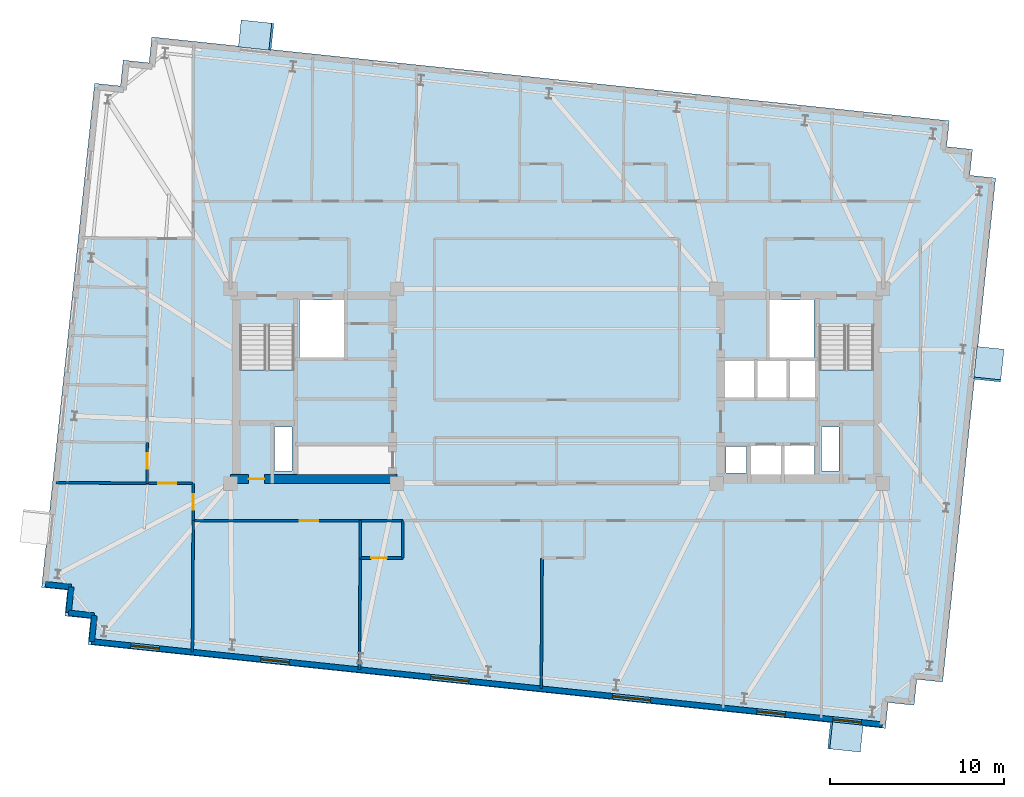
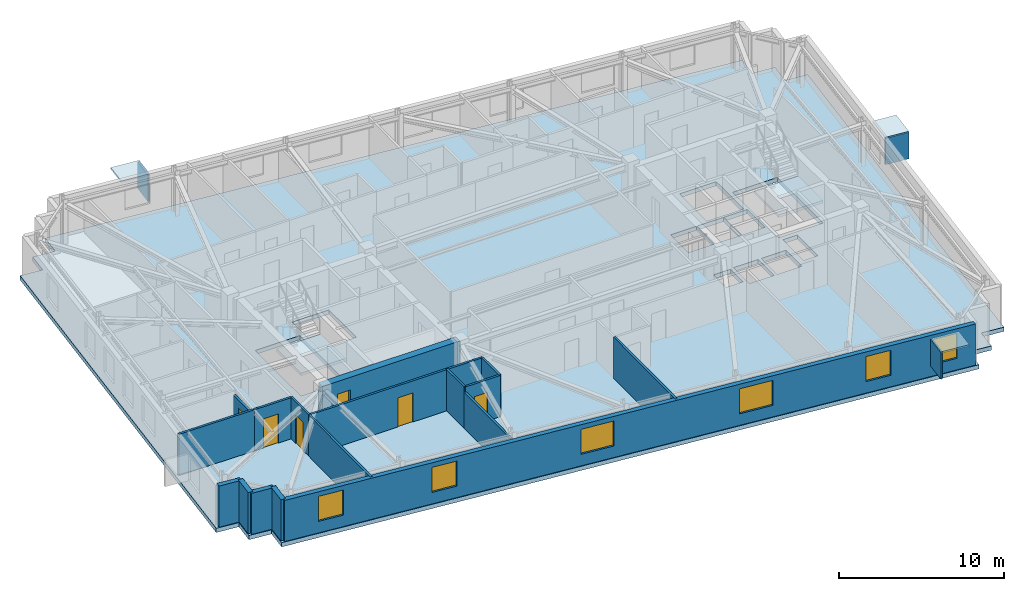
# One storey, part 5 of 13: 18 walls, 6 doors, 6 plates, 6 windows, 3 slabs, 12 openings, 2 elements without a shape of their own.
"""IFC4 building model written with IfcOpenShell, lengths in metres."""

from ifc_helpers import new_model, si_unit, direction, frame, frame_2d, origin, origin_2d, place, context, subcontext, project, spatial, polyline, rectangle, outline, extrude, material, layer, layer_set, type_object, element, fill, aggregate, save


model = new_model("IFC4")

# Units and contexts
model_context = context("Model", 3, precision=1e-05, world=origin(), true_north=direction((0.0, 1.0)))
body_context = subcontext(model_context, "Body", "Model", "MODEL_VIEW")
ifc_project = project(units=[si_unit("LENGTHUNIT", "METRE"), si_unit("AREAUNIT", "SQUARE_METRE"), si_unit("VOLUMEUNIT", "CUBIC_METRE"), si_unit("PLANEANGLEUNIT", "RADIAN"), si_unit("MASSUNIT", "GRAM", prefix="KILO")], contexts=[model_context])

# Site, building, storey
site_placement = place(None, origin())
site = spatial("IfcSite", under=ifc_project, at=site_placement, CompositionType="ELEMENT")
building_placement = place(site_placement, origin())
building = spatial("IfcBuilding", under=site, at=building_placement, Name="Qobustan Lattice House", CompositionType="ELEMENT")
storey_placement = place(building_placement, frame((0.0, 0.0, 186.35009765625)))
storey = spatial("IfcBuildingStorey", under=building, at=storey_placement, Name="L52", CompositionType="ELEMENT", Elevation=186.35009765625)

# Plates
ifc_material_1 = material(Name="Qobustan limestone GFRC", Category="masonry")
ifc_layer_1 = layer(ifc_material_1, 0.1201171875)
ifc_layer_set_1 = layer_set([ifc_layer_1], Name="Qobustan limestone GFRC")
plate_type = type_object("IfcPlateType", Name="SHD-HOOD-BROW", PredefinedType="USERDEFINED", material=ifc_layer_set_1)
plate_1_placement = place(storey_placement, frame((-17.3251953125, 20.220703125, 2.699951171875), z_axis=(0.0, 0.0, 1.0), x_axis=(0.994521895368, -0.104528463268, 0.0)))
element("IfcPlate", 1, at=plate_1_placement, inside=storey, type_object=plate_type, Name="L52 splayed Qobustan stone hood brow", ObjectType="SUNSHADE", PredefinedType="USERDEFINED", context=body_context, shape_type="SweptSolid", body=[
    extrude(rectangle(XDim=1.889892578125, YDim=1.56005859375, at=origin_2d()), origin(), (0.0, 0.0, 1.0), 0.1201171875),
])
plate_2_placement = place(storey_placement, frame((-16.445068359375, 20.128173828125, 0.7900390625), z_axis=(0.0, 0.0, 1.0), x_axis=(0.994521895368, -0.104528463268, 0.0)))
element("IfcPlate", 2, at=plate_2_placement, inside=storey, type_object=plate_type, Name="L52 splayed Qobustan stone hood cheek", ObjectType="SUNSHADE", PredefinedType="USERDEFINED", context=body_context, shape_type="SweptSolid", body=[
    extrude(rectangle(XDim=0.1201171875, YDim=1.56005859375, at=origin_2d()), origin(), (0.0, 0.0, 1.0), 1.969970703125),
])
plate_3_placement = place(storey_placement, frame((24.8896484375, 1.264892578125, 2.699951171875), z_axis=(0.0, 0.0, 1.0), x_axis=(-0.104528463268, -0.994521895368, 0.0)))
element("IfcPlate", 3, at=plate_3_placement, inside=storey, type_object=plate_type, Name="L52 splayed Qobustan stone hood brow", ObjectType="SUNSHADE", PredefinedType="USERDEFINED", context=body_context, shape_type="SweptSolid", body=[
    extrude(rectangle(XDim=1.889892578125, YDim=1.56005859375, at=origin_2d()), origin(), (0.0, 0.0, 1.0), 0.1201171875),
])
plate_4_placement = place(storey_placement, frame((24.797119140625, 0.384765625, 0.7900390625), z_axis=(0.0, 0.0, 1.0), x_axis=(-0.104528463268, -0.994521895368, 0.0)))
element("IfcPlate", 4, at=plate_4_placement, inside=storey, type_object=plate_type, Name="L52 splayed Qobustan stone hood cheek", ObjectType="SUNSHADE", PredefinedType="USERDEFINED", context=body_context, shape_type="SweptSolid", body=[
    extrude(rectangle(XDim=0.1201171875, YDim=1.56005859375, at=origin_2d()), origin(), (0.0, 0.0, 1.0), 1.969970703125),
])
plate_5_placement = place(storey_placement, frame((16.6279296875, -20.2099609375, 2.699951171875), z_axis=(0.0, 0.0, 1.0), x_axis=(-0.994521895368, 0.104528463268, 0.0)))
element("IfcPlate", 5, at=plate_5_placement, inside=storey, type_object=plate_type, Name="L52 splayed Qobustan stone hood brow", ObjectType="SUNSHADE", PredefinedType="USERDEFINED", context=body_context, shape_type="SweptSolid", body=[
    extrude(rectangle(XDim=1.889892578125, YDim=1.56005859375, at=origin_2d()), origin(), (0.0, 0.0, 1.0), 0.1201171875),
])
plate_6_placement = place(storey_placement, frame((15.747802734375, -20.117431640625, 0.7900390625), z_axis=(0.0, 0.0, 1.0), x_axis=(-0.994521895368, 0.104528463268, 0.0)))
element("IfcPlate", 6, at=plate_6_placement, inside=storey, type_object=plate_type, Name="L52 splayed Qobustan stone hood cheek", ObjectType="SUNSHADE", PredefinedType="USERDEFINED", context=body_context, shape_type="SweptSolid", body=[
    extrude(rectangle(XDim=0.1201171875, YDim=1.56005859375, at=origin_2d()), origin(), (0.0, 0.0, 1.0), 1.969970703125),
])

# Slab
ifc_material_2 = material(Name="Concrete C40/50", Category="concrete")
ifc_layer_2 = layer(ifc_material_2, 0.31005859375)
ifc_layer_set_2 = layer_set([ifc_layer_2], Name="Concrete C40/50")
slab_type_1 = type_object("IfcSlabType", Name="SLB-FLR-310", PredefinedType="FLOOR", material=ifc_layer_set_2)
slab_1_placement = place(storey_placement, frame((0.0, 0.0, -0.31005859375)))
element("IfcSlab", 7, at=slab_1_placement, inside=storey, type_object=slab_type_1, Name="L52 structural floor slab", PredefinedType="FLOOR", context=body_context, shape_type="SweptSolid", body=[
    extrude(outline(polyline([(-27.01318359375, -14.888916015625), (18.933837890625, -19.71826171875), (19.090576171875, -18.226318359375), (20.582275390625, -18.38330078125), (20.739013671875, -16.891357421875), (22.23095703125, -17.048095703125), (25.283203125, 11.99169921875), (23.79150390625, 12.148681640625), (23.947998046875, 13.640380859375), (22.456298828125, 13.797119140625), (22.61328125, 15.2890625), (-23.333740234375, 20.1181640625), (-23.490478515625, 18.62646484375), (-24.982421875, 18.783203125), (-25.13916015625, 17.29150390625), (-26.630859375, 17.4482421875), (-29.68310546875, -11.591796875), (-28.19140625, -11.74853515625), (-28.34814453125, -13.240478515625), (-26.8564453125, -13.397216796875), (-27.01318359375, -14.888916015625)]), holes=[polyline([(-18.25, -2.050048828125), (-18.25, 3.489990234375), (-15.1298828125, 3.489990234375), (-15.1298828125, -2.050048828125), (-18.25, -2.050048828125)]), polyline([(15.1298828125, -2.050048828125), (15.1298828125, 3.489990234375), (18.25, 3.489990234375), (18.25, -2.050048828125), (15.1298828125, -2.050048828125)]), polyline([(-14.820068359375, 1.64990234375), (-14.820068359375, 4.9599609375), (-12.25, 4.9599609375), (-12.25, 1.64990234375), (-14.820068359375, 1.64990234375)]), polyline([(12.25, 1.64990234375), (12.25, 4.9599609375), (14.820068359375, 4.9599609375), (14.820068359375, 1.64990234375), (12.25, 1.64990234375)]), polyline([(-16.260009765625, -4.8798828125), (-16.260009765625, -2.360107421875), (-15.260009765625, -2.360107421875), (-15.260009765625, -4.8798828125), (-16.260009765625, -4.8798828125)]), polyline([(15.260009765625, -4.8798828125), (15.260009765625, -2.360107421875), (16.260009765625, -2.360107421875), (16.260009765625, -4.8798828125), (15.260009765625, -4.8798828125)]), polyline([(11.179931640625, -5.35009765625), (11.179931640625, -3.419921875), (12.919921875, -3.419921875), (12.919921875, -5.35009765625), (11.179931640625, -5.35009765625)]), polyline([(13.1201171875, -5.35009765625), (13.1201171875, -3.419921875), (14.85009765625, -3.419921875), (14.85009765625, -5.35009765625), (13.1201171875, -5.35009765625)]), polyline([(9.760009765625, -5.0), (9.760009765625, -3.47998046875), (10.93994140625, -3.47998046875), (10.93994140625, -5.0), (9.760009765625, -5.0)]), polyline([(13.360107421875, -0.679931640625), (13.360107421875, 1.47998046875), (14.97998046875, 1.47998046875), (14.97998046875, -0.679931640625), (13.360107421875, -0.679931640625)]), polyline([(9.6201171875, -0.679931640625), (9.6201171875, 1.47998046875), (11.43994140625, 1.47998046875), (11.43994140625, -0.679931640625), (9.6201171875, -0.679931640625)]), polyline([(11.5, -0.679931640625), (11.5, 1.47998046875), (13.320068359375, 1.47998046875), (13.320068359375, -0.679931640625), (11.5, -0.679931640625)])]), origin(), (0.0, 0.0, 1.0), 0.31005859375),
])

# Stair, slab
ifc_material_3 = material(Name="Concrete C40/50", Category="concrete")
stair_type = type_object("IfcStairType", Name="STR-CORE-DOGLEG", PredefinedType="HALF_TURN_STAIR", material=ifc_material_3)
stair_1_placement = place(storey_placement, origin())
stair_1 = element("IfcStair", 8, at=stair_1_placement, inside=storey, type_object=stair_type, Name="L52 West protected exit stair ST-W1", PredefinedType="HALF_TURN_STAIR")
ifc_material_4 = material(Name="Concrete C40/50", Category="concrete")
ifc_layer_3 = layer(ifc_material_4, 0.199951171875)
ifc_layer_set_3 = layer_set([ifc_layer_3], Name="Concrete C40/50")
slab_type_2 = type_object("IfcSlabType", Name="SLB-LANDING-200", PredefinedType="LANDING", material=ifc_layer_set_3)
slab_2_placement = place(storey_placement, frame((0.0, 0.0, 1.474853515625)))
slab_2 = element("IfcSlab", 9, at=slab_2_placement, type_object=slab_type_2, Name="ST-W1 landing 1", PredefinedType="LANDING", context=body_context, shape_type="SweptSolid", body=[
    extrude(outline(polyline([(-18.25, 0.93505859375), (-18.25, -2.050048828125), (-15.1298828125, -2.050048828125), (-15.1298828125, 0.93505859375), (-18.25, 0.93505859375)])), origin(), (0.0, 0.0, 1.0), 0.199951171875),
])
aggregate(stair_1, [slab_2])

stair_2_placement = place(storey_placement, origin())
stair_2 = element("IfcStair", 10, at=stair_2_placement, inside=storey, type_object=stair_type, Name="L52 East protected exit stair ST-E1", PredefinedType="HALF_TURN_STAIR")
slab_3_placement = place(storey_placement, frame((0.0, 0.0, 1.474853515625)))
slab_3 = element("IfcSlab", 11, at=slab_3_placement, type_object=slab_type_2, Name="ST-E1 landing 1", PredefinedType="LANDING", context=body_context, shape_type="SweptSolid", body=[
    extrude(outline(polyline([(15.1298828125, 0.93505859375), (15.1298828125, -2.050048828125), (18.25, -2.050048828125), (18.25, 0.93505859375), (15.1298828125, 0.93505859375)])), origin(), (0.0, 0.0, 1.0), 0.199951171875),
])
aggregate(stair_2, [slab_3])

# Wall, opening, door
ifc_material_5 = material(Name="Concrete C50/60", Category="concrete")
ifc_layer_4 = layer(ifc_material_5, 0.5)
ifc_layer_set_4 = layer_set([ifc_layer_4], Name="Concrete C50/60")
wall_type_1 = type_object("IfcWallType", Name="WAL-CORE-500", PredefinedType="SHEAR", material=ifc_layer_set_4)
wall_1_placement = place(storey_placement, frame((-18.800048828125, -5.35009765625, 0.0), z_axis=(0.0, 0.0, 1.0), x_axis=(1.0, 0.0, 0.0)))
wall_1 = element("IfcWall", 12, at=wall_1_placement, inside=storey, type_object=wall_type_1, Name="L52 split-core shear wall CW-S", PredefinedType="SHEAR", context=body_context, shape_type="SweptSolid", body=[
    extrude(rectangle(XDim=9.60009765625, YDim=0.5, at=frame_2d((4.800048828125, 0.0))), origin(), (0.0, 0.0, 1.0), 3.039794921875),
])
opening_1_placement = place(wall_1_placement, frame((1.050048828125, 0.0, 0.0)))
opening_1 = element("IfcOpeningElement", 13, at=opening_1_placement, cuts=wall_1, Name="Opening RD-01", PredefinedType="OPENING", context=body_context, shape_type="SweptSolid", body=[
    extrude(rectangle(XDim=0.89990234375, YDim=2.10009765625, at=frame_2d((0.449951171875, 1.050048828125))), frame((0.0, 0.260009765625, 0.0), z_axis=(0.0, -1.0, 0.0), x_axis=(1.0, 0.0, 0.0)), (0.0, 0.0, 1.0), 0.52001953125),
])
ifc_material_6 = material(Name="Persian walnut timber and steel frame door", Category="steel")
door_type_1 = type_object("IfcDoorType", Name="DOR-RISER-FD-900x2100", OperationType="NOTDEFINED", PredefinedType="DOOR", material=ifc_material_6)
door_1_placement = place(opening_1_placement, origin())
door_1 = element("IfcDoor", 14, at=door_1_placement, inside=storey, type_object=door_type_1, Name="L52 core service riser access door W", OperationType="SINGLE_SWING_LEFT", OverallHeight=2.10009765625, OverallWidth=0.89990234375, PredefinedType="DOOR", context=body_context, shape_type="SweptSolid", body=[
    extrude(rectangle(XDim=0.89990234375, YDim=2.10009765625, at=frame_2d((0.449951171875, 1.050048828125))), frame((0.0, 0.02490234375, 0.0), z_axis=(0.0, -1.0, 0.0), x_axis=(1.0, 0.0, 0.0)), (0.0, 0.0, 1.0), 0.050048828125),
])
fill(opening_1, door_1)

# Walls
ifc_material_7 = material(Name="Precast concrete C40/50", Category="concrete")
ifc_layer_5 = layer(ifc_material_7, 0.320068359375)
ifc_layer_set_5 = layer_set([ifc_layer_5], Name="Precast concrete C40/50")
wall_type_2 = type_object("IfcWallType", Name="WAL-EXT-STONE-320", PredefinedType="SOLIDWALL", material=ifc_layer_set_5)
for number, where, z_axis, x_axis, name in (
    (15, (-26.79345703125, -14.7109375, 0.0), (0.0, 0.0, 1.0), (0.104498377516, 0.994525057048, 0.0), "L52 exterior limestone-clad wall 1"),
    (16, (-26.63671875, -13.21923828125, 0.0), (0.0, 0.0, 1.0), (-0.994525057048, 0.104498377516, 0.0), "L52 exterior limestone-clad wall 2"),
):
    element("IfcWall", number, at=place(storey_placement, frame(where, z_axis=z_axis, x_axis=x_axis)), inside=storey, type_object=wall_type_2, Name=name, PredefinedType="SOLIDWALL", context=body_context, shape_type="SweptSolid", body=[
        extrude(rectangle(XDim=1.5, YDim=0.320068359375, at=frame_2d((0.75, 0.0))), origin(), (0.0, 0.0, 1.0), 3.039794921875),
    ])
wall_2_placement = place(storey_placement, frame((-28.12841796875, -13.0625, 0.0), z_axis=(0.0, 0.0, 1.0), x_axis=(0.104481464157, 0.994526834051, 0.0)))
element("IfcWall", 17, at=wall_2_placement, inside=storey, type_object=wall_type_2, Name="L52 exterior limestone-clad wall 3", PredefinedType="SOLIDWALL", context=body_context, shape_type="SweptSolid", body=[
    extrude(rectangle(XDim=1.500244140625, YDim=0.320068359375, at=frame_2d((0.75, 0.0))), origin(), (0.0, 0.0, 1.0), 3.039794921875),
])
wall_3_placement = place(storey_placement, frame((-27.9716796875, -11.570556640625, 0.0), z_axis=(0.0, 0.0, 1.0), x_axis=(-0.994525057048, 0.104498377516, 0.0)))
element("IfcWall", 18, at=wall_3_placement, inside=storey, type_object=wall_type_2, Name="L52 exterior limestone-clad wall 4", PredefinedType="SOLIDWALL", context=body_context, shape_type="SweptSolid", body=[
    extrude(rectangle(XDim=1.5, YDim=0.320068359375, at=frame_2d((0.75, 0.0))), origin(), (0.0, 0.0, 1.0), 3.039794921875),
])

# Wall, openings, windows
wall_4_placement = place(storey_placement, frame((18.755859375, -19.498291015625, 0.0), z_axis=(0.0, 0.0, 1.0), x_axis=(-0.994522060044, 0.104526896475, 0.0)))
wall_4 = element("IfcWall", 19, at=wall_4_placement, inside=storey, type_object=wall_type_2, Name="L52 exterior limestone-clad wall 20", PredefinedType="SOLIDWALL", context=body_context, shape_type="SweptSolid", body=[
    extrude(rectangle(XDim=45.80029296875, YDim=0.320068359375, at=frame_2d((22.900146484375, 0.0))), origin(), (0.0, 0.0, 1.0), 3.039794921875),
])
opening_2_placement = place(wall_4_placement, frame((1.216796875, 0.0, 0.85009765625)))
opening_2 = element("IfcOpeningElement", 20, at=opening_2_placement, cuts=wall_4, Name="Opening WN-09", PredefinedType="OPENING", context=body_context, shape_type="SweptSolid", body=[
    extrude(rectangle(XDim=1.64990234375, YDim=1.85009765625, at=frame_2d((0.824951171875, 0.925048828125))), frame((0.0, 0.169921875, 0.0), z_axis=(0.0, -1.0, 0.0), x_axis=(1.0, 0.0, 0.0)), (0.0, 0.0, 1.0), 0.340087890625),
])
opening_3_placement = place(wall_4_placement, frame((5.62060546875, 0.0, 0.85009765625)))
opening_3 = element("IfcOpeningElement", 21, at=opening_3_placement, cuts=wall_4, Name="Opening WN-09", PredefinedType="OPENING", context=body_context, shape_type="SweptSolid", body=[
    extrude(rectangle(XDim=1.64990234375, YDim=1.85009765625, at=frame_2d((0.824951171875, 0.925048828125))), frame((0.0, 0.169921875, 0.0), z_axis=(0.0, -1.0, 0.0), x_axis=(1.0, 0.0, 0.0)), (0.0, 0.0, 1.0), 0.340087890625),
])
opening_4_placement = place(wall_4_placement, frame((13.4326171875, 0.0, 0.85009765625)))
opening_4 = element("IfcOpeningElement", 22, at=opening_4_placement, cuts=wall_4, Name="Opening WN-03", PredefinedType="OPENING", context=body_context, shape_type="SweptSolid", body=[
    extrude(rectangle(XDim=2.199951171875, YDim=1.85009765625, at=frame_2d((1.10009765625, 0.925048828125))), frame((0.0, 0.169921875, 0.0), z_axis=(0.0, -1.0, 0.0), x_axis=(1.0, 0.0, 0.0)), (0.0, 0.0, 1.0), 0.340087890625),
])
opening_5_placement = place(wall_4_placement, frame((23.9619140625, 0.0, 0.85009765625)))
opening_5 = element("IfcOpeningElement", 23, at=opening_5_placement, cuts=wall_4, Name="Opening WN-03", PredefinedType="OPENING", context=body_context, shape_type="SweptSolid", body=[
    extrude(rectangle(XDim=2.199951171875, YDim=1.85009765625, at=frame_2d((1.10009765625, 0.925048828125))), frame((0.0, 0.169921875, 0.0), z_axis=(0.0, -1.0, 0.0), x_axis=(1.0, 0.0, 0.0)), (0.0, 0.0, 1.0), 0.340087890625),
])
opening_6_placement = place(wall_4_placement, frame((34.36572265625, 0.0, 0.85009765625)))
opening_6 = element("IfcOpeningElement", 24, at=opening_6_placement, cuts=wall_4, Name="Opening WN-09", PredefinedType="OPENING", context=body_context, shape_type="SweptSolid", body=[
    extrude(rectangle(XDim=1.64990234375, YDim=1.85009765625, at=frame_2d((0.824951171875, 0.925048828125))), frame((0.0, 0.169921875, 0.0), z_axis=(0.0, -1.0, 0.0), x_axis=(1.0, 0.0, 0.0)), (0.0, 0.0, 1.0), 0.340087890625),
])
opening_7_placement = place(wall_4_placement, frame((41.892333984375, 0.0, 0.85009765625)))
opening_7 = element("IfcOpeningElement", 25, at=opening_7_placement, cuts=wall_4, Name="Opening WN-09", PredefinedType="OPENING", context=body_context, shape_type="SweptSolid", body=[
    extrude(rectangle(XDim=1.64990234375, YDim=1.85009765625, at=frame_2d((0.824951171875, 0.925048828125))), frame((0.0, 0.169921875, 0.0), z_axis=(0.0, -1.0, 0.0), x_axis=(1.0, 0.0, 0.0)), (0.0, 0.0, 1.0), 0.340087890625),
])
ifc_material_8 = material(Name="Double-glazed low-E aluminium window", Category="aluminium")
window_type_1 = type_object("IfcWindowType", Name="WIN-STU-1650x1850", PartitioningType="SINGLE_PANEL", PredefinedType="WINDOW", material=ifc_material_8)
window_1_placement = place(opening_2_placement, origin())
window_1 = element("IfcWindow", 26, at=window_1_placement, inside=storey, type_object=window_type_1, Name="L52 Academic seminar room window", OverallHeight=1.85009765625, OverallWidth=1.64990234375, PartitioningType="SINGLE_PANEL", PredefinedType="WINDOW", context=body_context, shape_type="SweptSolid", body=[
    extrude(rectangle(XDim=1.64990234375, YDim=1.85009765625, at=frame_2d((0.824951171875, 0.925048828125))), frame((0.0, 0.030029296875, 0.0), z_axis=(0.0, -1.0, 0.0), x_axis=(1.0, 0.0, 0.0)), (0.0, 0.0, 1.0), 0.06005859375),
])
fill(opening_2, window_1)
window_2_placement = place(opening_3_placement, origin())
window_2 = element("IfcWindow", 27, at=window_2_placement, inside=storey, type_object=window_type_1, Name="L52 Group study room window", OverallHeight=1.85009765625, OverallWidth=1.64990234375, PartitioningType="SINGLE_PANEL", PredefinedType="WINDOW", context=body_context, shape_type="SweptSolid", body=[
    extrude(rectangle(XDim=1.64990234375, YDim=1.85009765625, at=frame_2d((0.824951171875, 0.925048828125))), frame((0.0, 0.030029296875, 0.0), z_axis=(0.0, -1.0, 0.0), x_axis=(1.0, 0.0, 0.0)), (0.0, 0.0, 1.0), 0.06005859375),
])
fill(opening_3, window_2)
window_3_placement = place(opening_6_placement, origin())
window_3 = element("IfcWindow", 28, at=window_3_placement, inside=storey, type_object=window_type_1, Name="L52 Focus study room S1 window", OverallHeight=1.85009765625, OverallWidth=1.64990234375, PartitioningType="SINGLE_PANEL", PredefinedType="WINDOW", context=body_context, shape_type="SweptSolid", body=[
    extrude(rectangle(XDim=1.64990234375, YDim=1.85009765625, at=frame_2d((0.824951171875, 0.925048828125))), frame((0.0, 0.030029296875, 0.0), z_axis=(0.0, -1.0, 0.0), x_axis=(1.0, 0.0, 0.0)), (0.0, 0.0, 1.0), 0.06005859375),
])
fill(opening_6, window_3)
window_4_placement = place(opening_7_placement, origin())
window_4 = element("IfcWindow", 29, at=window_4_placement, inside=storey, type_object=window_type_1, Name="L52 Reading study room L52WS window", OverallHeight=1.85009765625, OverallWidth=1.64990234375, PartitioningType="SINGLE_PANEL", PredefinedType="WINDOW", context=body_context, shape_type="SweptSolid", body=[
    extrude(rectangle(XDim=1.64990234375, YDim=1.85009765625, at=frame_2d((0.824951171875, 0.925048828125))), frame((0.0, 0.030029296875, 0.0), z_axis=(0.0, -1.0, 0.0), x_axis=(1.0, 0.0, 0.0)), (0.0, 0.0, 1.0), 0.06005859375),
])
fill(opening_7, window_4)
ifc_material_9 = material(Name="Double-glazed low-E aluminium window", Category="aluminium")
window_type_2 = type_object("IfcWindowType", Name="WIN-WIDE-2200x1850", PartitioningType="SINGLE_PANEL", PredefinedType="WINDOW", material=ifc_material_9)
window_5_placement = place(opening_4_placement, origin())
window_5 = element("IfcWindow", 30, at=window_5_placement, inside=storey, type_object=window_type_2, Name="L52 Kitchenette and studio apartment L52-S3 window", OverallHeight=1.85009765625, OverallWidth=2.199951171875, PartitioningType="SINGLE_PANEL", PredefinedType="WINDOW", context=body_context, shape_type="SweptSolid", body=[
    extrude(rectangle(XDim=2.199951171875, YDim=1.85009765625, at=frame_2d((1.10009765625, 0.925048828125))), frame((0.0, 0.030029296875, 0.0), z_axis=(0.0, -1.0, 0.0), x_axis=(1.0, 0.0, 0.0)), (0.0, 0.0, 1.0), 0.06005859375),
])
fill(opening_4, window_5)
window_6_placement = place(opening_5_placement, origin())
window_6 = element("IfcWindow", 31, at=window_6_placement, inside=storey, type_object=window_type_2, Name="L52 Kitchenette and studio apartment L52-S2 window", OverallHeight=1.85009765625, OverallWidth=2.199951171875, PartitioningType="SINGLE_PANEL", PredefinedType="WINDOW", context=body_context, shape_type="SweptSolid", body=[
    extrude(rectangle(XDim=2.199951171875, YDim=1.85009765625, at=frame_2d((1.10009765625, 0.925048828125))), frame((0.0, 0.030029296875, 0.0), z_axis=(0.0, -1.0, 0.0), x_axis=(1.0, 0.0, 0.0)), (0.0, 0.0, 1.0), 0.06005859375),
])
fill(opening_5, window_6)

# Wall, opening, door
ifc_material_10 = material(Name="Acoustic twin-stud gypsum partition", Category="gypsum")
ifc_layer_6 = layer(ifc_material_10, 0.14990234375)
ifc_layer_set_6 = layer_set([ifc_layer_6], Name="Acoustic twin-stud gypsum partition")
wall_type_3 = type_object("IfcWallType", Name="WAL-PART-150", PredefinedType="PARTITIONING", material=ifc_layer_set_6)
wall_5_placement = place(storey_placement, frame((-20.949951171875, -7.75, 0.0), z_axis=(0.0, 0.0, 1.0), x_axis=(0.0, 1.0, 0.0)))
wall_5 = element("IfcWall", 32, at=wall_5_placement, inside=storey, type_object=wall_type_3, Name="L52 interior partition 47", PredefinedType="PARTITIONING", context=body_context, shape_type="SweptSolid", body=[
    extrude(rectangle(XDim=2.14990234375, YDim=0.14990234375, at=frame_2d((1.074951171875, 0.0))), origin(), (0.0, 0.0, 1.0), 3.039794921875),
])
opening_8_placement = place(wall_5_placement, frame((0.625, 0.0, 0.0)))
opening_8 = element("IfcOpeningElement", 33, at=opening_8_placement, cuts=wall_5, Name="Opening WD-01", PredefinedType="OPENING", context=body_context, shape_type="SweptSolid", body=[
    extrude(rectangle(XDim=0.89990234375, YDim=2.10009765625, at=frame_2d((0.449951171875, 1.050048828125))), frame((0.0, 0.0849609375, 0.0), z_axis=(0.0, -1.0, 0.0), x_axis=(1.0, 0.0, 0.0)), (0.0, 0.0, 1.0), 0.169921875),
])
ifc_material_11 = material(Name="Persian walnut timber and steel frame door", Category="steel")
door_type_2 = type_object("IfcDoorType", Name="DOR-WET-900x2100", OperationType="NOTDEFINED", PredefinedType="DOOR", material=ifc_material_11)
door_2_placement = place(opening_8_placement, origin())
door_2 = element("IfcDoor", 34, at=door_2_placement, inside=storey, type_object=door_type_2, Name="L52 South-west floor corridor to Reading study room L52WS door", OperationType="SINGLE_SWING_LEFT", OverallHeight=2.10009765625, OverallWidth=0.89990234375, PredefinedType="DOOR", context=body_context, shape_type="SweptSolid", body=[
    extrude(rectangle(XDim=0.89990234375, YDim=2.10009765625, at=frame_2d((0.449951171875, 1.050048828125))), frame((0.0, 0.02490234375, 0.0), z_axis=(0.0, -1.0, 0.0), x_axis=(1.0, 0.0, 0.0)), (0.0, 0.0, 1.0), 0.050048828125),
])
fill(opening_8, door_2)

wall_6_placement = place(storey_placement, frame((-11.324951171875, -7.75, 0.0), z_axis=(0.0, 0.0, 1.0), x_axis=(-1.0, 0.0, 0.0)))
wall_6 = element("IfcWall", 35, at=wall_6_placement, inside=storey, type_object=wall_type_3, Name="L52 interior partition 48", PredefinedType="PARTITIONING", context=body_context, shape_type="SweptSolid", body=[
    extrude(rectangle(XDim=9.625, YDim=0.14990234375, at=frame_2d((4.8125, 0.0))), origin(), (0.0, 0.0, 1.0), 3.039794921875),
])
opening_9_placement = place(wall_6_placement, frame((2.43359375, 0.0, 0.0)))
opening_9 = element("IfcOpeningElement", 36, at=opening_9_placement, cuts=wall_6, Name="Opening ID-02", PredefinedType="OPENING", context=body_context, shape_type="SweptSolid", body=[
    extrude(rectangle(XDim=1.050048828125, YDim=2.14990234375, at=frame_2d((0.52490234375, 1.074951171875))), frame((0.0, 0.0849609375, 0.0), z_axis=(0.0, -1.0, 0.0), x_axis=(1.0, 0.0, 0.0)), (0.0, 0.0, 1.0), 0.169921875),
])
ifc_material_12 = material(Name="Persian walnut timber and steel frame door", Category="steel")
door_type_3 = type_object("IfcDoorType", Name="DOR-STUDY-1050x2150", OperationType="NOTDEFINED", PredefinedType="DOOR", material=ifc_material_12)
door_3_placement = place(opening_9_placement, origin())
door_3 = element("IfcDoor", 37, at=door_3_placement, inside=storey, type_object=door_type_3, Name="L52 South-west floor corridor to Focus study room S1 door", OperationType="SINGLE_SWING_RIGHT", OverallHeight=2.14990234375, OverallWidth=1.050048828125, PredefinedType="DOOR", context=body_context, shape_type="SweptSolid", body=[
    extrude(rectangle(XDim=1.050048828125, YDim=2.14990234375, at=frame_2d((0.52490234375, 1.074951171875))), frame((0.0, 0.02490234375, 0.0), z_axis=(0.0, -1.0, 0.0), x_axis=(1.0, 0.0, 0.0)), (0.0, 0.0, 1.0), 0.050048828125),
])
fill(opening_9, door_3)

wall_7_placement = place(storey_placement, frame((-20.949951171875, -5.60009765625, 0.0), z_axis=(0.0, 0.0, 1.0), x_axis=(-1.0, 0.0, 0.0)))
wall_7 = element("IfcWall", 38, at=wall_7_placement, inside=storey, type_object=wall_type_3, Name="L52 interior partition 68", PredefinedType="PARTITIONING", context=body_context, shape_type="SweptSolid", body=[
    extrude(rectangle(XDim=2.650146484375, YDim=0.14990234375, at=frame_2d((1.3251953125, 0.0))), origin(), (0.0, 0.0, 1.0), 3.039794921875),
])
opening_10_placement = place(wall_7_placement, frame((0.965087890625, 0.0, 0.0)))
opening_10 = element("IfcOpeningElement", 39, at=opening_10_placement, cuts=wall_7, Name="Opening ID-02", PredefinedType="OPENING", context=body_context, shape_type="SweptSolid", body=[
    extrude(rectangle(XDim=1.050048828125, YDim=2.14990234375, at=frame_2d((0.52490234375, 1.074951171875))), frame((0.0, 0.0849609375, 0.0), z_axis=(0.0, -1.0, 0.0), x_axis=(1.0, 0.0, 0.0)), (0.0, 0.0, 1.0), 0.169921875),
])
door_4_placement = place(opening_10_placement, origin())
door_4 = element("IfcDoor", 40, at=door_4_placement, inside=storey, type_object=door_type_3, Name="L52 Residence entrance hall L52W to Reading study room L52WS door", OperationType="SINGLE_SWING_LEFT", OverallHeight=2.14990234375, OverallWidth=1.050048828125, PredefinedType="DOOR", context=body_context, shape_type="SweptSolid", body=[
    extrude(rectangle(XDim=1.050048828125, YDim=2.14990234375, at=frame_2d((0.52490234375, 1.074951171875))), frame((0.0, 0.02490234375, 0.0), z_axis=(0.0, -1.0, 0.0), x_axis=(1.0, 0.0, 0.0)), (0.0, 0.0, 1.0), 0.050048828125),
])
fill(opening_10, door_4)

# Walls
wall_8_placement = place(storey_placement, frame((-20.949951171875, -7.75, 0.0), z_axis=(0.0, 0.0, 1.0), x_axis=(-0.005804668564, -0.99998315277, 0.0)))
element("IfcWall", 41, at=wall_8_placement, inside=storey, type_object=wall_type_3, Name="L52 interior partition 77", PredefinedType="PARTITIONING", context=body_context, shape_type="SweptSolid", body=[
    extrude(rectangle(XDim=7.57080078125, YDim=0.14990234375, at=frame_2d((3.785400390625, 0.0))), origin(), (0.0, 0.0, 1.0), 3.039794921875),
])
wall_9_placement = place(storey_placement, frame((-11.324951171875, -9.89990234375, 0.0), z_axis=(0.0, 0.0, 1.0), x_axis=(-0.006831737937, -0.999976663406, 0.0)))
element("IfcWall", 42, at=wall_9_placement, inside=storey, type_object=wall_type_3, Name="L52 interior partition 101", PredefinedType="PARTITIONING", context=body_context, shape_type="SweptSolid", body=[
    extrude(rectangle(XDim=6.4326171875, YDim=0.14990234375, at=frame_2d((3.21630859375, 0.0))), origin(), (0.0, 0.0, 1.0), 2.664794921875),
])
wall_10_placement = place(storey_placement, frame((-0.85009765625, -9.89990234375, 0.0), z_axis=(0.0, 0.0, 1.0), x_axis=(-0.005801043172, -0.999983173807, 0.0)))
element("IfcWall", 43, at=wall_10_placement, inside=storey, type_object=wall_type_3, Name="L52 interior partition 105", PredefinedType="PARTITIONING", context=body_context, shape_type="SweptSolid", body=[
    extrude(rectangle(XDim=7.533447265625, YDim=0.14990234375, at=frame_2d((3.7666015625, 0.0))), origin(), (0.0, 0.0, 1.0), 3.039794921875),
])
ifc_material_13 = material(Name="Moisture-resistant acoustic plumbing wall", Category="gypsum")
ifc_layer_7 = layer(ifc_material_13, 0.14990234375)
ifc_layer_set_7 = layer_set([ifc_layer_7], Name="Moisture-resistant acoustic plumbing wall")
wall_type_4 = type_object("IfcWallType", Name="WAL-WET-150", PredefinedType="PLUMBINGWALL", material=ifc_layer_set_7)
wall_11_placement = place(storey_placement, frame((-8.875, -7.75, 0.0), z_axis=(0.0, 0.0, 1.0), x_axis=(-1.0, 0.0, 0.0)))
element("IfcWall", 44, at=wall_11_placement, inside=storey, type_object=wall_type_4, Name="L52 interior partition 50", PredefinedType="PLUMBINGWALL", context=body_context, shape_type="SweptSolid", body=[
    extrude(rectangle(XDim=2.449951171875, YDim=0.14990234375, at=frame_2d((1.22509765625, 0.0))), origin(), (0.0, 0.0, 1.0), 3.039794921875),
])

# Wall, opening, door
wall_12_placement = place(storey_placement, frame((-23.60009765625, -5.60009765625, 0.0), z_axis=(0.0, 0.0, 1.0), x_axis=(0.0, 1.0, 0.0)))
wall_12 = element("IfcWall", 45, at=wall_12_placement, inside=storey, type_object=wall_type_4, Name="L52 interior partition 69", PredefinedType="PLUMBINGWALL", context=body_context, shape_type="SweptSolid", body=[
    extrude(rectangle(XDim=2.35009765625, YDim=0.14990234375, at=frame_2d((1.175048828125, 0.0))), origin(), (0.0, 0.0, 1.0), 2.69482421875),
])
opening_11_placement = place(wall_12_placement, frame((0.833740234375, 0.0, 0.0)))
opening_11 = element("IfcOpeningElement", 46, at=opening_11_placement, cuts=wall_12, Name="Opening WD-01", PredefinedType="OPENING", context=body_context, shape_type="SweptSolid", body=[
    extrude(rectangle(XDim=0.89990234375, YDim=2.10009765625, at=frame_2d((0.449951171875, 1.050048828125))), frame((0.0, 0.0849609375, 0.0), z_axis=(0.0, -1.0, 0.0), x_axis=(1.0, 0.0, 0.0)), (0.0, 0.0, 1.0), 0.169921875),
])
door_5_placement = place(opening_11_placement, origin())
door_5 = element("IfcDoor", 47, at=door_5_placement, inside=storey, type_object=door_type_2, Name="L52 Residence entrance hall L52W to Shared bathroom L52W door", OperationType="SINGLE_SWING_RIGHT", OverallHeight=2.10009765625, OverallWidth=0.89990234375, PredefinedType="DOOR", context=body_context, shape_type="SweptSolid", body=[
    extrude(rectangle(XDim=0.89990234375, YDim=2.10009765625, at=frame_2d((0.449951171875, 1.050048828125))), frame((0.0, 0.02490234375, 0.0), z_axis=(0.0, -1.0, 0.0), x_axis=(1.0, 0.0, 0.0)), (0.0, 0.0, 1.0), 0.050048828125),
])
fill(opening_11, door_5)

# Walls
wall_13_placement = place(storey_placement, frame((-28.84765625, -5.55615234375, 0.0), z_axis=(0.0, 0.0, 1.0), x_axis=(0.999964936305, -0.008374136435, 0.0)))
element("IfcWall", 48, at=wall_13_placement, inside=storey, type_object=wall_type_4, Name="L52 interior partition 76", PredefinedType="PLUMBINGWALL", context=body_context, shape_type="SweptSolid", body=[
    extrude(rectangle(XDim=5.247802734375, YDim=0.14990234375, at=frame_2d((2.6240234375, 0.0))), origin(), (0.0, 0.0, 1.0), 3.039794921875),
])
wall_14_placement = place(storey_placement, frame((-11.324951171875, -7.75, 0.0), z_axis=(0.0, 0.0, 1.0), x_axis=(0.0, -1.0, 0.0)))
element("IfcWall", 49, at=wall_14_placement, inside=storey, type_object=wall_type_4, Name="L52 interior partition 102", PredefinedType="PLUMBINGWALL", context=body_context, shape_type="SweptSolid", body=[
    extrude(rectangle(XDim=2.14990234375, YDim=0.14990234375, at=frame_2d((1.074951171875, 0.0))), origin(), (0.0, 0.0, 1.0), 3.039794921875),
])

# Wall, opening, door
wall_15_placement = place(storey_placement, frame((-11.324951171875, -9.89990234375, 0.0), z_axis=(0.0, 0.0, 1.0), x_axis=(1.0, 0.0, 0.0)))
wall_15 = element("IfcWall", 50, at=wall_15_placement, inside=storey, type_object=wall_type_4, Name="L52 interior partition 103", PredefinedType="PLUMBINGWALL", context=body_context, shape_type="SweptSolid", body=[
    extrude(rectangle(XDim=2.449951171875, YDim=0.14990234375, at=frame_2d((1.22509765625, 0.0))), origin(), (0.0, 0.0, 1.0), 3.039794921875),
])
opening_12_placement = place(wall_15_placement, frame((0.628662109375, 0.0, 0.0)))
opening_12 = element("IfcOpeningElement", 51, at=opening_12_placement, cuts=wall_15, Name="Opening WD-01", PredefinedType="OPENING", context=body_context, shape_type="SweptSolid", body=[
    extrude(rectangle(XDim=0.89990234375, YDim=2.10009765625, at=frame_2d((0.449951171875, 1.050048828125))), frame((0.0, 0.0849609375, 0.0), z_axis=(0.0, -1.0, 0.0), x_axis=(1.0, 0.0, 0.0)), (0.0, 0.0, 1.0), 0.169921875),
])
door_6_placement = place(opening_12_placement, origin())
door_6 = element("IfcDoor", 52, at=door_6_placement, inside=storey, type_object=door_type_2, Name="L52 Kitchenette and studio apartment L52-S2 to En-suite bathroom L52-S2 door", OperationType="SINGLE_SWING_LEFT", OverallHeight=2.10009765625, OverallWidth=0.89990234375, PredefinedType="DOOR", context=body_context, shape_type="SweptSolid", body=[
    extrude(rectangle(XDim=0.89990234375, YDim=2.10009765625, at=frame_2d((0.449951171875, 1.050048828125))), frame((0.0, 0.02490234375, 0.0), z_axis=(0.0, -1.0, 0.0), x_axis=(1.0, 0.0, 0.0)), (0.0, 0.0, 1.0), 0.050048828125),
])
fill(opening_12, door_6)

# Wall
wall_16_placement = place(storey_placement, frame((-8.875, -9.89990234375, 0.0), z_axis=(0.0, 0.0, 1.0), x_axis=(0.0, 1.0, 0.0)))
element("IfcWall", 53, at=wall_16_placement, inside=storey, type_object=wall_type_4, Name="L52 interior partition 104", PredefinedType="PLUMBINGWALL", context=body_context, shape_type="SweptSolid", body=[
    extrude(rectangle(XDim=2.14990234375, YDim=0.14990234375, at=frame_2d((1.074951171875, 0.0))), origin(), (0.0, 0.0, 1.0), 3.039794921875),
])

save(model, "model.ifc")
